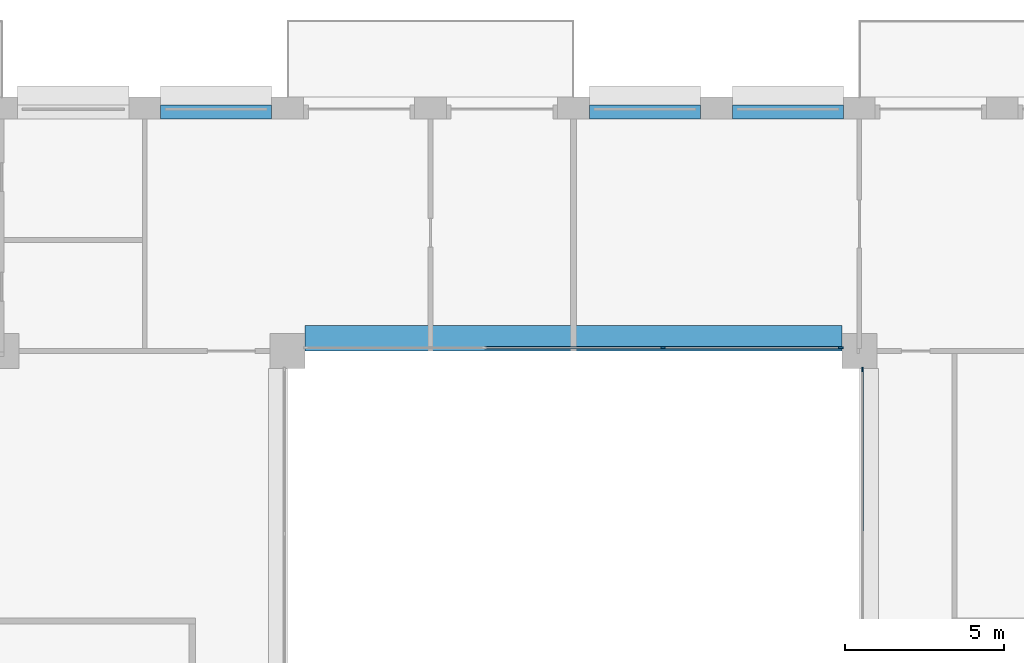
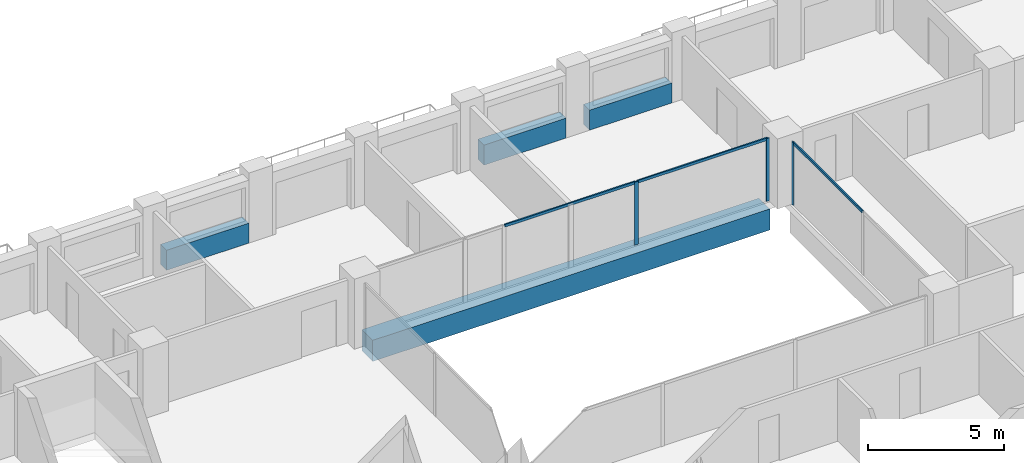
# One storey, part 6 of 15: 6 members, 4 beams, 2 elements without a shape of their own.
"""IFC4 building model written with IfcOpenShell, lengths in metres."""

from ifc_helpers import new_model, si_unit, direction, frame, origin, origin_2d, place, context, subcontext, project, spatial, rectangle, extrude, material, layer, layer_set, material_profile, profile_set, type_object, element, aggregate, save


model = new_model("IFC4")

# Units and contexts
model_context = context("Model", 3, precision=1e-05, world=origin(), true_north=direction((0.0, 1.0)))
body_context = subcontext(model_context, "Body", "Model", "MODEL_VIEW")
ifc_project = project(units=[si_unit("LENGTHUNIT", "METRE"), si_unit("AREAUNIT", "SQUARE_METRE"), si_unit("VOLUMEUNIT", "CUBIC_METRE"), si_unit("PLANEANGLEUNIT", "RADIAN"), si_unit("MASSUNIT", "GRAM", prefix="KILO")], contexts=[model_context])

# Site, building, storey
site_placement = place(None, origin())
site = spatial("IfcSite", under=ifc_project, at=site_placement, CompositionType="ELEMENT")
building_placement = place(site_placement, origin())
building = spatial("IfcBuilding", under=site, at=building_placement, Name="Brigalow Station Residences", CompositionType="ELEMENT")
storey_placement = place(building_placement, frame((0.0, 0.0, 144.449951171875)))
storey = spatial("IfcBuildingStorey", under=building, at=storey_placement, Name="L41", CompositionType="ELEMENT", Elevation=144.449951171875)

# Beam
ifc_material_1 = material(Name="Concrete C65", Category="concrete")
ifc_material_profile_1 = material_profile(ifc_material_1, rectangle(XDim=0.800048828125, YDim=0.949951171875, at=origin_2d()), Name="RC800x950")
ifc_profile_set_1 = profile_set([ifc_material_profile_1], Name="Concrete C65")
beam_type_1 = type_object("IfcBeamType", Name="ATRIUM EDGE GIRDER OVER 13.5 M SPAN 800x950 C65", PredefinedType="BEAM", material=ifc_profile_set_1)
beam_placement = place(storey_placement, frame((27.550048828125, 35.89990234375, -0.794921875), z_axis=(1.0, 0.0, 0.0), x_axis=(0.0, 1.0, 0.0)))
element("IfcBeam", 1, at=beam_placement, inside=storey, type_object=beam_type_1, Name="ATRIUM EDGE GIRDER D L41", PredefinedType="BEAM", context=body_context, shape_type="SweptSolid", body=[
    extrude(rectangle(XDim=0.800048828125, YDim=0.949951171875, at=origin_2d()), origin(), (0.0, 0.0, 1.0), 16.89990234375),
])

# Curtain wall, member
ifc_material_2 = material(Name="Aluminium", Category="aluminium")
ifc_layer = layer(ifc_material_2, 0.14990234375)
ifc_layer_set = layer_set([ifc_layer], Name="ATRIUM FIRE-RATED GLAZING CURTAIN WALL")
curtain_wall_type = type_object("IfcCurtainWallType", Name="ATRIUM FIRE-RATED GLAZING CURTAIN WALL", PredefinedType="NOTDEFINED", material=ifc_layer_set)
curtain_wall_1_placement = place(storey_placement, origin())
curtain_wall_1 = element("IfcCurtainWall", 2, at=curtain_wall_1_placement, inside=storey, type_object=curtain_wall_type, Name="L41/cw/atrium-E", PredefinedType="NOTDEFINED")
ifc_material_3 = material(Name="Aluminium", Category="aluminium")
ifc_material_profile_2 = material_profile(ifc_material_3, rectangle(XDim=0.06005859375, YDim=0.14990234375, at=origin_2d()), Name="ATRIUM FIRE-RATED GLAZING MULLION 60x150")
ifc_profile_set_2 = profile_set([ifc_material_profile_2], Name="Aluminium")
member_type_1 = type_object("IfcMemberType", Name="ATRIUM FIRE-RATED GLAZING MULLION 60x150", PredefinedType="MULLION", material=ifc_profile_set_2)
member_1_placement = place(storey_placement, frame((45.10009765625, 34.919921875, 0.0), z_axis=(0.0, 0.0, 1.0), x_axis=(-1.0, 0.0, 0.0)))
member_1 = element("IfcMember", 3, at=member_1_placement, type_object=member_type_1, Name="L41/cw/atrium-E/M02", PredefinedType="MULLION", context=body_context, shape_type="SweptSolid", body=[
    extrude(rectangle(XDim=0.06005859375, YDim=0.14990234375, at=origin_2d()), origin(), (0.0, 0.0, 1.0), 2.830078125),
])

# Curtain wall, members
curtain_wall_2_placement = place(storey_placement, origin())
curtain_wall_2 = element("IfcCurtainWall", 4, at=curtain_wall_2_placement, inside=storey, type_object=curtain_wall_type, Name="L41/cw/atrium-N", PredefinedType="NOTDEFINED")
member_2_placement = place(storey_placement, frame((44.419921875, 35.60009765625, 0.0), z_axis=(0.0, 0.0, 1.0), x_axis=(0.0, -1.0, 0.0)))
member_2 = element("IfcMember", 5, at=member_2_placement, type_object=member_type_1, Name="L41/cw/atrium-N/M00", PredefinedType="MULLION", context=body_context, shape_type="SweptSolid", body=[
    extrude(rectangle(XDim=0.06005859375, YDim=0.14990234375, at=origin_2d()), origin(), (0.0, 0.0, 1.0), 2.830078125),
])
member_3_placement = place(storey_placement, frame((38.816650390625, 35.60009765625, 0.0), z_axis=(0.0, 0.0, 1.0), x_axis=(0.0, -1.0, 0.0)))
member_3 = element("IfcMember", 6, at=member_3_placement, type_object=member_type_1, Name="L41/cw/atrium-N/M01", PredefinedType="MULLION", context=body_context, shape_type="SweptSolid", body=[
    extrude(rectangle(XDim=0.06005859375, YDim=0.14990234375, at=origin_2d()), origin(), (0.0, 0.0, 1.0), 2.830078125),
])

# Member
ifc_material_4 = material(Name="Aluminium", Category="aluminium")
ifc_material_profile_3 = material_profile(ifc_material_4, rectangle(XDim=0.06005859375, YDim=0.1201171875, at=origin_2d()), Name="ATRIUM FIRE-RATED GLAZING TRANSOM 60x120")
ifc_profile_set_3 = profile_set([ifc_material_profile_3], Name="Aluminium")
member_type_2 = type_object("IfcMemberType", Name="ATRIUM FIRE-RATED GLAZING TRANSOM 60x120", PredefinedType="USERDEFINED", material=ifc_profile_set_3)
member_4_placement = place(storey_placement, frame((45.10009765625, 29.780029296875, 2.800048828125), z_axis=(0.0, 1.0, 0.0), x_axis=(-1.0, 0.0, 0.0)))
member_4 = element("IfcMember", 7, at=member_4_placement, type_object=member_type_2, Name="L41/cw/atrium-E/T01-00", ObjectType="TRANSOM", PredefinedType="USERDEFINED", context=body_context, shape_type="SweptSolid", body=[
    extrude(rectangle(XDim=0.06005859375, YDim=0.1201171875, at=origin_2d()), origin(), (0.0, 0.0, 1.0), 5.10986328125),
])

aggregate(curtain_wall_1, [member_1, member_4])

member_5_placement = place(storey_placement, frame((44.389892578125, 35.60009765625, 2.800048828125), z_axis=(-1.0, 0.0, 0.0), x_axis=(0.0, -1.0, 0.0)))
member_5 = element("IfcMember", 8, at=member_5_placement, type_object=member_type_2, Name="L41/cw/atrium-N/T00-00", ObjectType="TRANSOM", PredefinedType="USERDEFINED", context=body_context, shape_type="SweptSolid", body=[
    extrude(rectangle(XDim=0.06005859375, YDim=0.1201171875, at=origin_2d()), origin(), (0.0, 0.0, 1.0), 5.543212890625),
])

member_6_placement = place(storey_placement, frame((38.78662109375, 35.60009765625, 2.800048828125), z_axis=(-1.0, 0.0, 0.0), x_axis=(0.0, -1.0, 0.0)))
member_6 = element("IfcMember", 9, at=member_6_placement, type_object=member_type_2, Name="L41/cw/atrium-N/T01-00", ObjectType="TRANSOM", PredefinedType="USERDEFINED", context=body_context, shape_type="SweptSolid", body=[
    extrude(rectangle(XDim=0.06005859375, YDim=0.1201171875, at=origin_2d()), origin(), (0.0, 0.0, 1.0), 5.5732421875),
])

aggregate(curtain_wall_2, [member_2, member_3, member_5, member_6])

# Beams
ifc_material_5 = material(Name="Concrete C50", Category="concrete")
ifc_material_profile_4 = material_profile(ifc_material_5, rectangle(XDim=0.449951171875, YDim=0.89990234375, at=origin_2d()), Name="RC450x900")
ifc_profile_set_4 = profile_set([ifc_material_profile_4], Name="Concrete C50")
beam_type_2 = type_object("IfcBeamType", Name="SPANDREL BEAM 450x900 C50", PredefinedType="SPANDREL", material=ifc_profile_set_4)
for number, where, z_axis, x_axis, name in (
    (10, (44.5, 43.02490234375, 0.449951171875), (-1.0, 0.0, 0.0), (0.0, -1.0, 0.0), "L41/spandrel/W-L41-27"),
    (11, (40.0, 43.02490234375, 0.449951171875), (-1.0, 0.0, 0.0), (0.0, -1.0, 0.0), "L41/spandrel/W-L41-28"),
    (12, (26.5, 43.02490234375, 0.449951171875), (-1.0, 0.0, 0.0), (0.0, -1.0, 0.0), "L41/spandrel/W-L41-31"),
):
    element("IfcBeam", number, at=place(storey_placement, frame(where, z_axis=z_axis, x_axis=x_axis)), inside=storey, type_object=beam_type_2, Name=name, PredefinedType="SPANDREL", context=body_context, shape_type="SweptSolid", body=[
        extrude(rectangle(XDim=0.449951171875, YDim=0.89990234375, at=origin_2d()), origin(), (0.0, 0.0, 1.0), 3.5),
    ])

save(model, "model.ifc")
